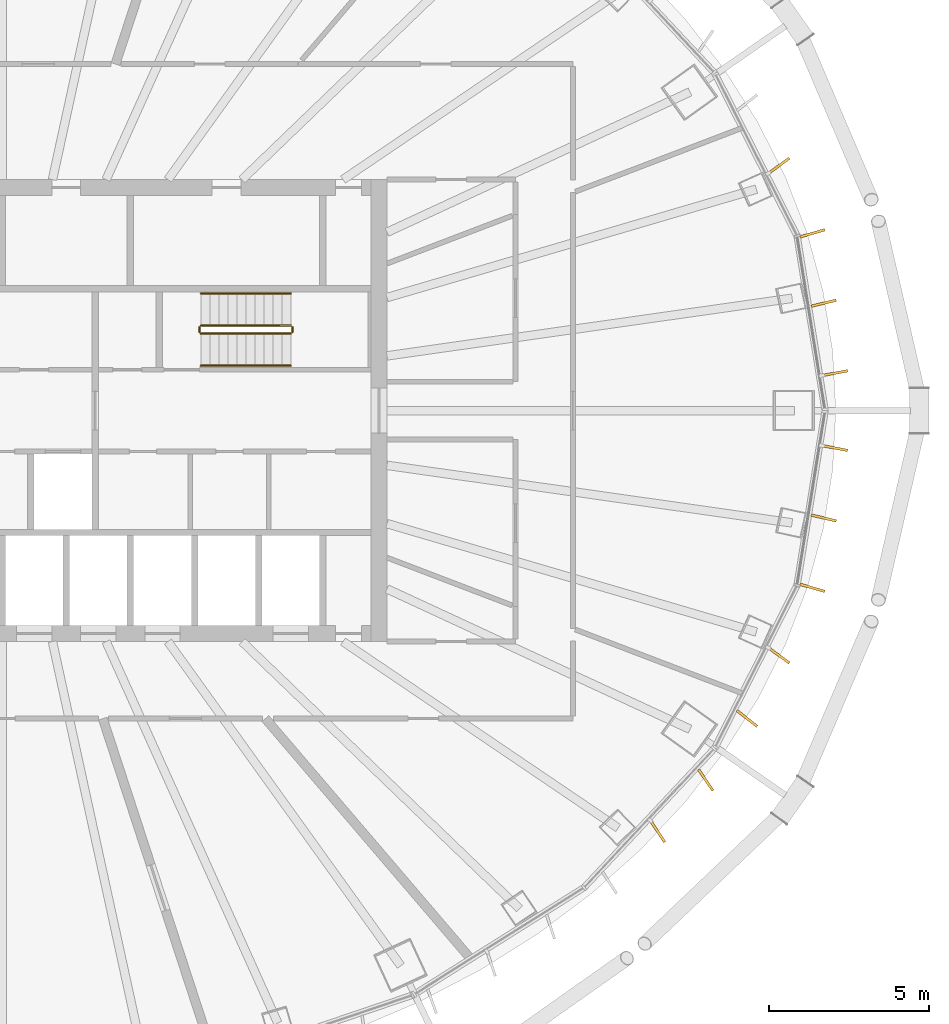
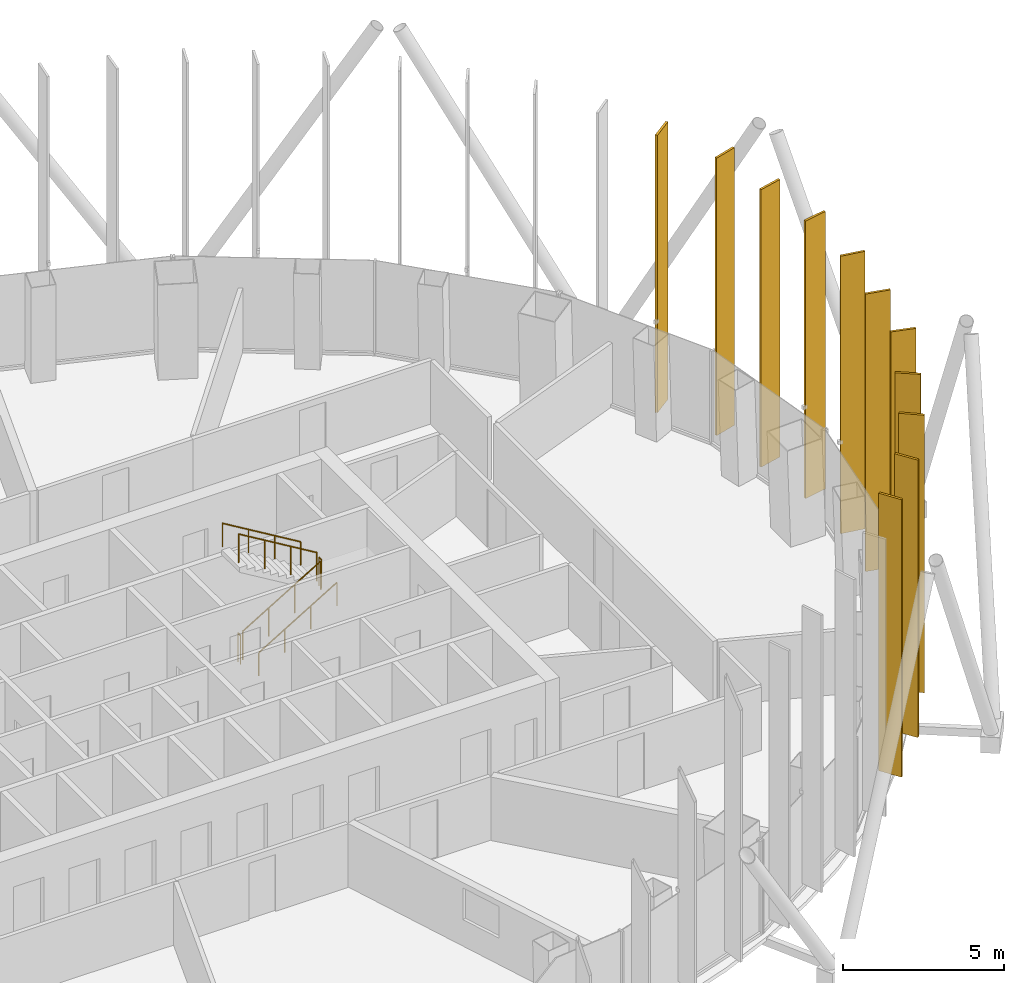
# One storey, part 19 of 20: 11 shading devices, 6 railings.
"""IFC4 building model written with IfcOpenShell, lengths in metres."""

from ifc_helpers import new_model, si_unit, direction, frame, origin, origin_2d, place, context, subcontext, project, spatial, rectangle, circle, extrude, material, layer, layer_set, type_object, element, save


model = new_model("IFC4")

# Units and contexts
model_context = context("Model", 3, precision=1e-05, world=origin(), true_north=direction((0.0, 1.0)))
body_context = subcontext(model_context, "Body", "Model", "MODEL_VIEW")
ifc_project = project(units=[si_unit("LENGTHUNIT", "METRE"), si_unit("AREAUNIT", "SQUARE_METRE"), si_unit("VOLUMEUNIT", "CUBIC_METRE"), si_unit("PLANEANGLEUNIT", "RADIAN"), si_unit("MASSUNIT", "GRAM", prefix="KILO")], contexts=[model_context])

# Site, building, storey
site_placement = place(None, origin())
site = spatial("IfcSite", under=ifc_project, at=site_placement, CompositionType="ELEMENT")
building_placement = place(site_placement, origin())
building = spatial("IfcBuilding", under=site, at=building_placement, Name="Siaravel Broadcast Tower", CompositionType="ELEMENT")
storey_placement = place(building_placement, frame((0.0, 0.0, 108.199951171875)))
storey = spatial("IfcBuildingStorey", under=building, at=storey_placement, Name="L25", CompositionType="ELEMENT", Elevation=108.199951171875)

# Shading devices
ifc_material_1 = material(Name="Bronze anodised aluminium", Category="aluminium")
ifc_layer = layer(ifc_material_1, 0.080078125)
ifc_layer_set = layer_set([ifc_layer], Name="Bronze anodised aluminium")
shading_device_type = type_object("IfcShadingDeviceType", Name="Bronze fin zone 2", PredefinedType="USERDEFINED", material=ifc_layer_set)
for number, where, z_axis, x_axis, name in (
    (1, (25.9619140625, 1.16748046875, 0.300048828125), (0.0, 0.0, 1.0), (0.983013277, 0.183534456, 0.0), "Bronze fin L25-01"),
    (2, (25.610595703125, 3.34716796875, 0.300048828125), (0.0, 0.0, 1.0), (0.972650754, 0.232272494, 0.0), "Bronze fin L25-02"),
    (3, (25.258544921875, 5.525146484375, 0.300048828125), (0.0, 0.0, 1.0), (0.960846403, 0.277081559, 0.0), "Bronze fin L25-03"),
    (4, (24.21484375, 7.63232421875, 0.300048828125), (0.0, 0.0, 1.0), (0.808295193, 0.588777446, 0.0), "Bronze fin L25-04"),
    (5, (20.43212890625, -13.1171875, 0.300048828125), (0.0, 0.0, 1.0), (0.549473495, -0.835511148, 0.0), "Bronze fin L25-61"),
    (6, (21.933349609375, -11.5166015625, 0.300048828125), (0.0, 0.0, 1.0), (0.562996788, -0.826459084, 0.0), "Bronze fin L25-62"),
    (7, (23.219482421875, -9.595458984375, 0.300048828125), (0.0, 0.0, 1.0), (0.788047286, -0.615614713, 0.0), "Bronze fin L25-63"),
    (8, (24.21484375, -7.63232421875, 0.300048828125), (0.0, 0.0, 1.0), (0.808295193, -0.588777446, 0.0), "Bronze fin L25-64"),
    (9, (25.258544921875, -5.525146484375, 0.300048828125), (0.0, 0.0, 1.0), (0.960846403, -0.277081559, 0.0), "Bronze fin L25-65"),
    (10, (25.610595703125, -3.34716796875, 0.300048828125), (0.0, 0.0, 1.0), (0.972650754, -0.232272494, 0.0), "Bronze fin L25-66"),
    (11, (25.9619140625, -1.16748046875, 0.300048828125), (0.0, 0.0, 1.0), (0.983013277, -0.183534456, 0.0), "Bronze fin L25-67"),
):
    element("IfcShadingDevice", number, at=place(storey_placement, frame(where, z_axis=z_axis, x_axis=x_axis)), inside=storey, type_object=shading_device_type, Name=name, ObjectType="FIN", PredefinedType="USERDEFINED", context=body_context, shape_type="SweptSolid", body=[
        extrude(rectangle(XDim=0.800048828125, YDim=0.080078125, at=origin_2d()), origin(), (0.0, 0.0, 1.0), 10.5),
    ])

# Railings
ifc_material_2 = material(Name="Stainless steel 316L", Category="steel")
railing_type_1 = type_object("IfcRailingType", Name="Stair guard 1100", PredefinedType="GUARDRAIL", material=ifc_material_2)
railing_1_placement = place(storey_placement, frame((6.199951171875, 2.39990234375, 0.168212890625)))
element("IfcRailing", 12, at=railing_1_placement, inside=storey, type_object=railing_type_1, Name="L25 ST-2 stair guard 1", PredefinedType="GUARDRAIL", context=body_context, shape_type="SweptSolid", body=[
    extrude(circle(Radius=0.02392578125, at=origin_2d()), frame((0.0, 0.0, 1.076171875), z_axis=(0.857242211, 0.0, 0.514913383), x_axis=(0.0, 1.0, 0.0)), (0.0, 0.0, 1.0), 3.266357421875),
    extrude(circle(Radius=0.02099609375, at=origin_2d()), origin(), (0.0, 0.0, 1.0), 1.052001953125),
    extrude(circle(Radius=0.02099609375, at=origin_2d()), frame((0.933349609375, 0.0, 0.560546875)), (0.0, 0.0, 1.0), 1.052001953125),
    extrude(circle(Radius=0.02099609375, at=origin_2d()), frame((1.86669921875, 0.0, 1.121337890625)), (0.0, 0.0, 1.0), 1.052001953125),
    extrude(circle(Radius=0.02099609375, at=origin_2d()), frame((2.800048828125, 0.0, 1.681884765625)), (0.0, 0.0, 1.0), 1.052001953125),
])
railing_2_placement = place(storey_placement, frame((9.050048828125, 2.449951171875, 1.85009765625)))
element("IfcRailing", 13, at=railing_2_placement, inside=storey, type_object=railing_type_1, Name="L25 ST-2 stair guard 2", PredefinedType="GUARDRAIL", context=body_context, shape_type="SweptSolid", body=[
    extrude(circle(Radius=0.02392578125, at=origin_2d()), frame((0.0, 0.0, 1.076171875), z_axis=(0.0, 1.0, 0.0), x_axis=(-1.0, 0.0, 0.0)), (0.0, 0.0, 1.0), 0.150146484375),
    extrude(circle(Radius=0.02099609375, at=origin_2d()), origin(), (0.0, 0.0, 1.0), 1.052001953125),
    extrude(circle(Radius=0.02099609375, at=origin_2d()), frame((0.0, 0.150146484375, 0.0)), (0.0, 0.0, 1.0), 1.052001953125),
])
railing_3_placement = place(storey_placement, frame((9.0, 2.64990234375, 2.018310546875)))
element("IfcRailing", 14, at=railing_3_placement, inside=storey, type_object=railing_type_1, Name="L25 ST-2 stair guard 3", PredefinedType="GUARDRAIL", context=body_context, shape_type="SweptSolid", body=[
    extrude(circle(Radius=0.02392578125, at=origin_2d()), frame((0.0, 0.0, 1.076171875), z_axis=(-0.857275203, 0.0, 0.514858453), x_axis=(0.0, -1.0, 0.0)), (0.0, 0.0, 1.0), 3.26611328125),
    extrude(circle(Radius=0.02099609375, at=origin_2d()), origin(), (0.0, 0.0, 1.0), 1.052001953125),
    extrude(circle(Radius=0.02099609375, at=origin_2d()), frame((-0.933349609375, 0.0, 0.560546875)), (0.0, 0.0, 1.0), 1.052001953125),
    extrude(circle(Radius=0.02099609375, at=origin_2d()), frame((-1.86669921875, 0.0, 1.12109375)), (0.0, 0.0, 1.0), 1.052001953125),
    extrude(circle(Radius=0.02099609375, at=origin_2d()), frame((-2.800048828125, 0.0, 1.681640625)), (0.0, 0.0, 1.0), 1.052001953125),
])
railing_4_placement = place(storey_placement, frame((6.14990234375, 2.449951171875, 0.0)))
element("IfcRailing", 15, at=railing_4_placement, inside=storey, type_object=railing_type_1, Name="L25 ST-2 stair guard 4", PredefinedType="GUARDRAIL", context=body_context, shape_type="SweptSolid", body=[
    extrude(circle(Radius=0.02392578125, at=origin_2d()), frame((0.0, 0.0, 1.076171875), z_axis=(0.0, 1.0, 0.0), x_axis=(-1.0, 0.0, 0.0)), (0.0, 0.0, 1.0), 0.150146484375),
    extrude(circle(Radius=0.02099609375, at=origin_2d()), origin(), (0.0, 0.0, 1.0), 1.052001953125),
    extrude(circle(Radius=0.02099609375, at=origin_2d()), frame((0.0, 0.150146484375, 0.0)), (0.0, 0.0, 1.0), 1.052001953125),
])
railing_type_2 = type_object("IfcRailingType", Name="Stair handrail 900", PredefinedType="HANDRAIL", material=ifc_material_2)
railing_5_placement = place(storey_placement, frame((6.199951171875, 1.39990234375, 0.168212890625)))
element("IfcRailing", 16, at=railing_5_placement, inside=storey, type_object=railing_type_2, Name="L25 ST-2 stair handrail 1", PredefinedType="HANDRAIL", context=body_context, shape_type="SweptSolid", body=[
    extrude(circle(Radius=0.02392578125, at=origin_2d()), frame((0.0, 0.0, 0.8759765625), z_axis=(0.857242211, 0.0, 0.514913383), x_axis=(0.0, 1.0, 0.0)), (0.0, 0.0, 1.0), 3.266357421875),
    extrude(circle(Radius=0.02099609375, at=origin_2d()), origin(), (0.0, 0.0, 1.0), 0.851806640625),
    extrude(circle(Radius=0.02099609375, at=origin_2d()), frame((0.933349609375, 0.0, 0.560546875)), (0.0, 0.0, 1.0), 0.851806640625),
    extrude(circle(Radius=0.02099609375, at=origin_2d()), frame((1.86669921875, 0.0, 1.121337890625)), (0.0, 0.0, 1.0), 0.851806640625),
    extrude(circle(Radius=0.02099609375, at=origin_2d()), frame((2.800048828125, 0.0, 1.681884765625)), (0.0, 0.0, 1.0), 0.851806640625),
])
railing_6_placement = place(storey_placement, frame((9.0, 3.64990234375, 2.018310546875)))
element("IfcRailing", 17, at=railing_6_placement, inside=storey, type_object=railing_type_2, Name="L25 ST-2 stair handrail 2", PredefinedType="HANDRAIL", context=body_context, shape_type="SweptSolid", body=[
    extrude(circle(Radius=0.02392578125, at=origin_2d()), frame((0.0, 0.0, 0.8759765625), z_axis=(-0.857275203, 0.0, 0.514858453), x_axis=(0.0, -1.0, 0.0)), (0.0, 0.0, 1.0), 3.26611328125),
    extrude(circle(Radius=0.02099609375, at=origin_2d()), origin(), (0.0, 0.0, 1.0), 0.851806640625),
    extrude(circle(Radius=0.02099609375, at=origin_2d()), frame((-0.933349609375, 0.0, 0.560546875)), (0.0, 0.0, 1.0), 0.851806640625),
    extrude(circle(Radius=0.02099609375, at=origin_2d()), frame((-1.86669921875, 0.0, 1.12109375)), (0.0, 0.0, 1.0), 0.851806640625),
    extrude(circle(Radius=0.02099609375, at=origin_2d()), frame((-2.800048828125, 0.0, 1.681640625)), (0.0, 0.0, 1.0), 0.851806640625),
])

save(model, "model.ifc")
